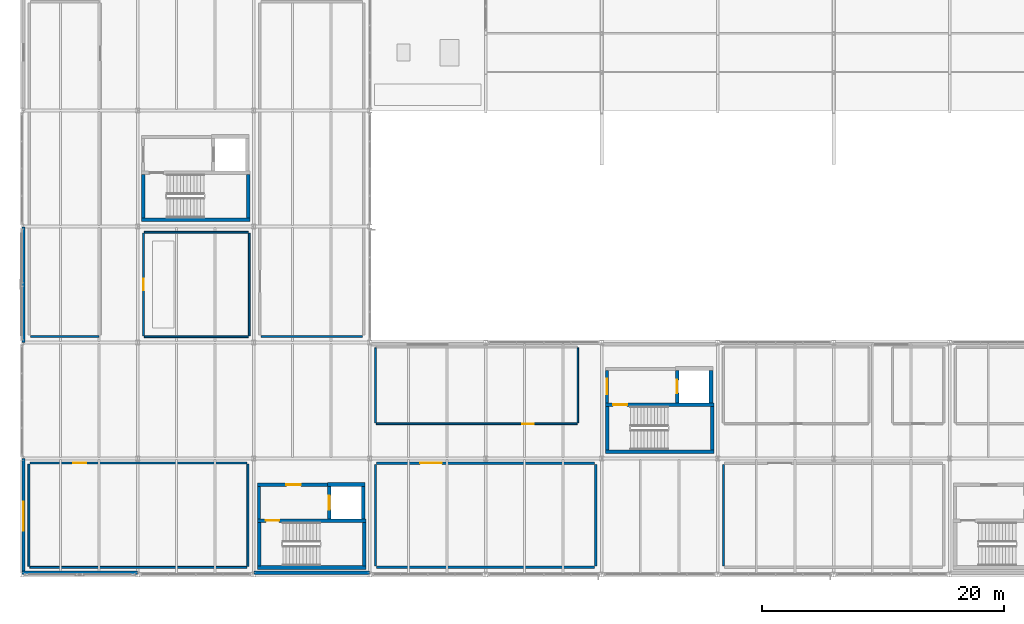
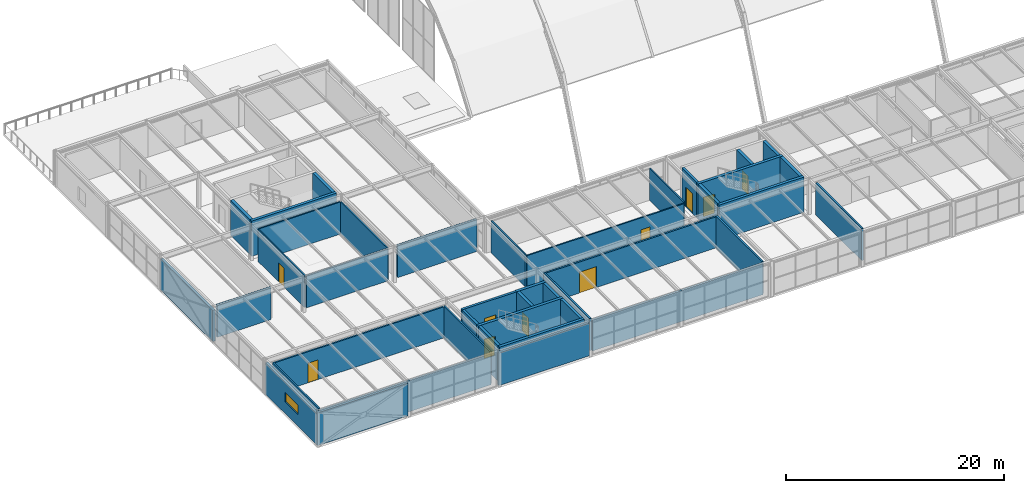
# One storey, part 116 of 126: 41 walls, 10 doors, 1 window, 11 openings.
"""IFC4 building model written with IfcOpenShell, lengths in metres."""

import ifcopenshell
import ifcopenshell.guid

model = None  # the IFC model being written
_history = None  # IfcOwnerHistory: only IFC2X3 demands one
_inside = {}  # id of a spatial element -> (the spatial element, [elements in it])
_under = {}  # id of a project, library or spatial element -> (it, [spatial elements below it])
_declared = {}  # id of a project -> (the project, [libraries it declares])
_typed = {}  # id of a type object -> (the type object, [elements of that type])
_made_of = {}  # id of a material, layer set ... -> (it, [elements and type objects made of it])


def new_model(schema):
    """Start an empty IFC model of exactly this schema.

    Asked for "IFC4X3", IfcOpenShell would pick the latest addendum, in which some entities
    have other attributes; the version numbers below select the first issue.
    IFC2X3 requires an IfcOwnerHistory on every rooted entity: one is made here for all.
    """
    global model, _history
    if schema == "IFC4X3":
        model = ifcopenshell.file(schema_version=(4, 3, 0, 0))
    else:
        model = ifcopenshell.file(schema=schema)
    _inside.clear()
    _under.clear()
    _declared.clear()
    _typed.clear()
    _made_of.clear()
    _history = None
    if model.schema == "IFC2X3":
        org = make("IfcOrganization", Name="unknown")
        user = make(
            "IfcPersonAndOrganization",
            ThePerson=make("IfcPerson", FamilyName="unknown"),
            TheOrganization=org,
        )
        app = make(
            "IfcApplication",
            ApplicationDeveloper=org,
            Version="unknown",
            ApplicationFullName="unknown",
            ApplicationIdentifier="unknown",
        )
        _history = make(
            "IfcOwnerHistory",
            OwningUser=user,
            OwningApplication=app,
            ChangeAction="ADDED",
            CreationDate=0,
        )
    return model


def make(cls, **values):
    """One entity of the class cls with the attributes given. An attribute that is None is left unset."""
    return model.create_entity(
        cls, **{name: value for name, value in values.items() if value is not None}
    )


def rooted(cls, **values):
    """An entity with a GlobalId (a new one), such as an element, a storey or a relation."""
    return make(cls, GlobalId=ifcopenshell.guid.new(), OwnerHistory=_history, **values)


def si_unit(unit_type, name, prefix=None):
    """IfcSIUnit, for example si_unit("LENGTHUNIT", "METRE", prefix="MILLI")."""
    return make("IfcSIUnit", UnitType=unit_type, Prefix=prefix, Name=name)


def assignment(units):
    """IfcUnitAssignment: the units of a project."""
    return None if units is None else make("IfcUnitAssignment", Units=units)


def point(xyz):
    """IfcCartesianPoint."""
    return None if xyz is None else make("IfcCartesianPoint", Coordinates=xyz)


def direction(xyz):
    """IfcDirection."""
    return None if xyz is None else make("IfcDirection", DirectionRatios=xyz)


def frame(location, z_axis=None, x_axis=None):
    """IfcAxis2Placement3D, a coordinate frame: its origin and axes. An axis left out is left unset."""
    return make(
        "IfcAxis2Placement3D",
        Location=point(location),
        Axis=direction(z_axis),
        RefDirection=direction(x_axis),
    )


def frame_2d(location, x_axis=None):
    """IfcAxis2Placement2D, a coordinate frame in the plane: its origin and x axis."""
    return make(
        "IfcAxis2Placement2D", Location=point(location), RefDirection=direction(x_axis)
    )


def origin():
    """The frame at (0, 0, 0) with its axes left unset."""
    return frame((0.0, 0.0, 0.0))


def place(relative_to, where):
    """IfcLocalPlacement: puts the frame where relative to a parent placement (None: the world)."""
    return make(
        "IfcLocalPlacement", PlacementRelTo=relative_to, RelativePlacement=where
    )


def context(
    kind, dimensions, precision=None, world=None, true_north=None, identifier=None
):
    """IfcGeometricRepresentationContext, for example the 3D "Model" context."""
    return make(
        "IfcGeometricRepresentationContext",
        ContextIdentifier=identifier,
        ContextType=kind,
        CoordinateSpaceDimension=dimensions,
        Precision=precision,
        WorldCoordinateSystem=world,
        TrueNorth=true_north,
    )


def subcontext(parent, identifier, kind, view, scale=None):
    """IfcGeometricRepresentationSubContext, for example "Body" below "Model"."""
    return make(
        "IfcGeometricRepresentationSubContext",
        ContextIdentifier=identifier,
        ContextType=kind,
        ParentContext=parent,
        TargetScale=scale,
        TargetView=view,
    )


def project(units=None, contexts=None):
    """IfcProject with its units and contexts."""
    return rooted(
        "IfcProject",
        Name="project",
        RepresentationContexts=contexts,
        UnitsInContext=assignment(units),
    )


def spatial(cls, under=None, at=None, **own):
    """A site, building, storey or space (cls), placed at a placement, below another one or the project."""
    s = rooted(cls, ObjectPlacement=at, **own)
    if under is not None:
        _under.setdefault(under.id(), (under, []))[1].append(s)
    return s


def profile(cls, at=None, kind="AREA", **sizes):
    """A parametric profile (cls). Its sizes go by their IFC names, for example OverallWidth=200.0."""
    return make(cls, ProfileType=kind, Position=at, **sizes)


def rectangle(**sizes):
    """IfcRectangleProfileDef."""
    return profile("IfcRectangleProfileDef", **sizes)


def extrude(swept, where, along, depth):
    """IfcExtrudedAreaSolid: the profile swept, set in the frame where, extruded along a direction by depth."""
    return make(
        "IfcExtrudedAreaSolid",
        SweptArea=swept,
        Position=where,
        ExtrudedDirection=direction(along),
        Depth=depth,
    )


def shape(context_of_items, identifier, shape_type, items):
    """IfcShapeRepresentation: the items that make up one representation, for example the "Body"."""
    return make(
        "IfcShapeRepresentation",
        ContextOfItems=context_of_items,
        RepresentationIdentifier=identifier,
        RepresentationType=shape_type,
        Items=items,
    )


def material(Name=None, Category=None):
    """IfcMaterial."""
    return make("IfcMaterial", Name=Name, Category=Category)


def layer(
    of_material, thickness, ventilated=None, Name=None, Category=None, Priority=None
):
    """IfcMaterialLayer: one layer of a wall or slab, of a material (None: an air gap)."""
    return make(
        "IfcMaterialLayer",
        Material=of_material,
        LayerThickness=thickness,
        IsVentilated=ventilated,
        Name=Name,
        Category=Category,
        Priority=Priority,
    )


def layer_set(layers, Name=None):
    """IfcMaterialLayerSet."""
    return make("IfcMaterialLayerSet", MaterialLayers=layers, LayerSetName=Name)


def made_of(thing, what):
    """Note that an element or type object is made of a material, layer set ...; save() writes the relation."""
    if what is not None:
        _made_of.setdefault(what.id(), (what, []))[1].append(thing)
    return thing


def type_object(cls, material=None, **own):
    """A type object (cls), such as IfcWallType, which elements share."""
    return made_of(rooted(cls, **own), material)


def element(
    cls,
    number,
    at=None,
    inside=None,
    cuts=None,
    type_object=None,
    material=None,
    context=None,
    identifier="Body",
    shape_type=None,
    held_by="IfcProductDefinitionShape",
    body=None,
    shapes=None,
    **own,
):
    """One element of the class cls, such as IfcWall. Its Tag is "e" and its number.

    at: its placement. inside: the storey or other place that contains it. cuts: it is an
    opening in that element (IfcRelVoidsElement). A single representation is given by context,
    identifier, shape_type and body (its items); several are given by shapes. held_by: the class
    of the entity that holds the representations. save() writes the other relations.
    """
    e = rooted(cls, Tag="e%d" % number, ObjectPlacement=at, **own)
    if body is not None:
        shapes = [shape(context, identifier, shape_type, body)]
    if shapes is not None:
        e.Representation = make(held_by, Representations=shapes)
    if inside is not None:
        _inside.setdefault(inside.id(), (inside, []))[1].append(e)
    if cuts is not None:
        rooted(
            "IfcRelVoidsElement", RelatingBuildingElement=cuts, RelatedOpeningElement=e
        )
    if type_object is not None:
        _typed.setdefault(type_object.id(), (type_object, []))[1].append(e)
    return made_of(e, material)


def fill(opening, filler):
    """IfcRelFillsElement: the door or window that sits in an opening."""
    return rooted(
        "IfcRelFillsElement",
        RelatingOpeningElement=opening,
        RelatedBuildingElement=filler,
    )


def aggregate(whole, parts):
    """IfcRelAggregates: a whole, such as a stair, and the parts it consists of."""
    return rooted("IfcRelAggregates", RelatingObject=whole, RelatedObjects=parts)


def save(model, path):
    """Write the relations noted so far, then the file.

    IfcRelAggregates (storeys below a building ...), IfcRelContainedInSpatialStructure (elements
    in a storey), IfcRelDefinesByType, IfcRelAssociatesMaterial and IfcRelDeclares: one each for
    every whole, place, type object, material and project.
    """
    for whole, parts in _under.values():
        aggregate(whole, parts)
    for where, things in _inside.values():
        rooted(
            "IfcRelContainedInSpatialStructure",
            RelatedElements=things,
            RelatingStructure=where,
        )
    for kind, things in _typed.values():
        rooted("IfcRelDefinesByType", RelatedObjects=things, RelatingType=kind)
    for what, things in _made_of.values():
        rooted("IfcRelAssociatesMaterial", RelatedObjects=things, RelatingMaterial=what)
    for by, libraries in _declared.values():
        rooted("IfcRelDeclares", RelatingContext=by, RelatedDefinitions=libraries)
    model.write(path)


model = new_model("IFC4")

# Units and contexts
model_context = context("Model", 3, precision=1e-05, world=origin(), true_north=direction((0.0, 1.0)))
body_context = subcontext(model_context, "Body", "Model", "MODEL_VIEW")
ifc_project = project(units=[si_unit("LENGTHUNIT", "METRE"), si_unit("AREAUNIT", "SQUARE_METRE"), si_unit("VOLUMEUNIT", "CUBIC_METRE"), si_unit("PLANEANGLEUNIT", "RADIAN"), si_unit("MASSUNIT", "GRAM", prefix="KILO")], contexts=[model_context])

# Site, building, storey
site_placement = place(None, origin())
site = spatial("IfcSite", under=ifc_project, at=site_placement, CompositionType="ELEMENT")
building_placement = place(site_placement, origin())
building = spatial("IfcBuilding", under=site, at=building_placement, Name="Coralgate Yard Interchange", CompositionType="ELEMENT")
storey_placement = place(building_placement, frame((0.0, 0.0, 10.5)))
storey = spatial("IfcBuildingStorey", under=building, at=storey_placement, Name="L02", CompositionType="ELEMENT", Elevation=10.5)

# Walls
ifc_material_1 = material(Name="Concrete C40/50", Category="concrete")
ifc_layer_1 = layer(ifc_material_1, 0.300048828125)
ifc_layer_set_1 = layer_set([ifc_layer_1], Name="Concrete C40/50")
wall_type_1 = type_object("IfcWallType", Name="WAL-CW300", PredefinedType="SHEAR", material=ifc_layer_set_1)
wall_1_placement = place(storey_placement, frame((9.89990234375, 29.3701171875, 0.0), z_axis=(0.0, 0.0, 1.0), x_axis=(1.0, 0.0, 0.0)))
element("IfcWall", 1, at=wall_1_placement, inside=storey, type_object=wall_type_1, Name="C1 L02 stair south shear wall", PredefinedType="SHEAR", context=body_context, shape_type="SweptSolid", body=[
    extrude(rectangle(XDim=9.0, YDim=0.300048828125, at=frame_2d((4.5, 0.0))), origin(), (0.0, 0.0, 1.0), 3.949951171875),
])
for number, where, z_axis, x_axis, name in (
    (2, (10.050048828125, 29.52001953125, 0.0), (0.0, 0.0, 1.0), (0.0, 1.0, 0.0), "C1 L02 stair west shear wall"),
    (3, (18.75, 33.10009765625, 0.0), (0.0, 0.0, 1.0), (0.0, -1.0, 0.0), "C1 L02 stair east shear wall"),
):
    element("IfcWall", number, at=place(storey_placement, frame(where, z_axis=z_axis, x_axis=x_axis)), inside=storey, type_object=wall_type_1, Name=name, PredefinedType="SHEAR", context=body_context, shape_type="SweptSolid", body=[
        extrude(rectangle(XDim=3.580078125, YDim=0.300048828125, at=frame_2d((1.7900390625, 0.0))), origin(), (0.0, 0.0, 1.0), 3.949951171875),
    ])
wall_2_placement = place(storey_placement, frame((48.300048828125, 10.169921875, 0.0), z_axis=(0.0, 0.0, 1.0), x_axis=(1.0, 0.0, 0.0)))
element("IfcWall", 4, at=wall_2_placement, inside=storey, type_object=wall_type_1, Name="C2 L02 stair south shear wall", PredefinedType="SHEAR", context=body_context, shape_type="SweptSolid", body=[
    extrude(rectangle(XDim=9.0, YDim=0.300048828125, at=frame_2d((4.5, 0.0))), origin(), (0.0, 0.0, 1.0), 3.949951171875),
])

# Wall, opening, door
wall_3_placement = place(storey_placement, frame((57.300048828125, 14.050048828125, 0.0), z_axis=(0.0, 0.0, 1.0), x_axis=(-1.0, 0.0, 0.0)))
wall_3 = element("IfcWall", 5, at=wall_3_placement, inside=storey, type_object=wall_type_1, Name="C2 L02 stair north shear wall", PredefinedType="SHEAR", context=body_context, shape_type="SweptSolid", body=[
    extrude(rectangle(XDim=9.0, YDim=0.300048828125, at=frame_2d((4.5, 0.0))), origin(), (0.0, 0.0, 1.0), 3.949951171875),
])
opening_1_placement = place(wall_3_placement, frame((7.199951171875, 0.0, 0.0)))
opening_1 = element("IfcOpeningElement", 6, at=opening_1_placement, cuts=wall_3, Name="Opening FD-1B", PredefinedType="OPENING", context=body_context, shape_type="SweptSolid", body=[
    extrude(rectangle(XDim=1.14990234375, YDim=2.14990234375, at=frame_2d((0.574951171875, 1.074951171875))), frame((0.0, 0.159912109375, 0.0), z_axis=(0.0, -1.0, 0.0), x_axis=(1.0, 0.0, 0.0)), (0.0, 0.0, 1.0), 0.320068359375),
])
ifc_material_2 = material(Name="Powder-coated steel fire door assembly", Category="steel")
door_type_1 = type_object("IfcDoorType", Name="DOR-FD-1B", OperationType="NOTDEFINED", PredefinedType="DOOR", material=ifc_material_2)
door_1_placement = place(opening_1_placement, frame((1.14990234375, 0.0, 0.0), z_axis=(0.0, 0.0, 1.0), x_axis=(-1.0, 0.0, 0.0)))
door_1 = element("IfcDoor", 7, at=door_1_placement, inside=storey, type_object=door_type_1, Name="C2 L02 stair fire door", OperationType="SINGLE_SWING_RIGHT", OverallHeight=2.14990234375, OverallWidth=1.14990234375, PredefinedType="DOOR", context=body_context, shape_type="SweptSolid", body=[
    extrude(rectangle(XDim=1.14990234375, YDim=2.14990234375, at=frame_2d((0.574951171875, 1.074951171875))), frame((0.0, 0.02490234375, 0.0), z_axis=(0.0, -1.0, 0.0), x_axis=(1.0, 0.0, 0.0)), (0.0, 0.0, 1.0), 0.050048828125),
])
fill(opening_1, door_1)

# Walls
for number, where, z_axis, x_axis, name in (
    (8, (48.449951171875, 10.320068359375, 0.0), (0.0, 0.0, 1.0), (0.0, 1.0, 0.0), "C2 L02 stair west shear wall"),
    (9, (57.14990234375, 13.89990234375, 0.0), (0.0, 0.0, 1.0), (0.0, -1.0, 0.0), "C2 L02 stair east shear wall"),
):
    element("IfcWall", number, at=place(storey_placement, frame(where, z_axis=z_axis, x_axis=x_axis)), inside=storey, type_object=wall_type_1, Name=name, PredefinedType="SHEAR", context=body_context, shape_type="SweptSolid", body=[
        extrude(rectangle(XDim=3.579833984375, YDim=0.300048828125, at=frame_2d((1.7900390625, 0.0))), origin(), (0.0, 0.0, 1.0), 3.949951171875),
    ])

# Wall, opening, door
wall_4_placement = place(storey_placement, frame((54.25, 16.89990234375, 0.0), z_axis=(0.0, 0.0, 1.0), x_axis=(0.0, -1.0, 0.0)))
wall_4 = element("IfcWall", 10, at=wall_4_placement, inside=storey, type_object=wall_type_1, Name="C2 L02 lift front shear wall", PredefinedType="SHEAR", context=body_context, shape_type="SweptSolid", body=[
    extrude(rectangle(XDim=2.699951171875, YDim=0.300048828125, at=frame_2d((1.35009765625, 0.0))), origin(), (0.0, 0.0, 1.0), 3.949951171875),
])
opening_2_placement = place(wall_4_placement, frame((0.800048828125, 0.0, 0.0)))
opening_2 = element("IfcOpeningElement", 11, at=opening_2_placement, cuts=wall_4, Name="Opening LD-1", PredefinedType="OPENING", context=body_context, shape_type="SweptSolid", body=[
    extrude(rectangle(XDim=1.10009765625, YDim=2.10009765625, at=frame_2d((0.550048828125, 1.050048828125))), frame((0.0, 0.159912109375, 0.0), z_axis=(0.0, -1.0, 0.0), x_axis=(1.0, 0.0, 0.0)), (0.0, 0.0, 1.0), 0.320068359375),
])
ifc_material_3 = material(Name="Brushed stainless steel firefighting lift landing door", Category="steel")
door_type_2 = type_object("IfcDoorType", Name="DOR-LD-1", OperationType="DOUBLE_DOOR_SLIDING", PredefinedType="DOOR", material=ifc_material_3)
door_2_placement = place(opening_2_placement, frame((1.10009765625, 0.0, 0.0), z_axis=(0.0, 0.0, 1.0), x_axis=(-1.0, 0.0, 0.0)))
door_2 = element("IfcDoor", 12, at=door_2_placement, inside=storey, type_object=door_type_2, Name="FFL-02 L02 sliding lift landing door", OperationType="DOUBLE_DOOR_SLIDING", OverallHeight=2.10009765625, OverallWidth=1.10009765625, PredefinedType="DOOR", context=body_context, shape_type="SweptSolid", body=[
    extrude(rectangle(XDim=1.10009765625, YDim=2.10009765625, at=frame_2d((0.550048828125, 1.050048828125))), frame((0.0, 0.02490234375, 0.0), z_axis=(0.0, -1.0, 0.0), x_axis=(1.0, 0.0, 0.0)), (0.0, 0.0, 1.0), 0.050048828125),
])
fill(opening_2, door_2)

# Walls
wall_5_placement = place(storey_placement, frame((57.050048828125, 14.199951171875, 0.0), z_axis=(0.0, 0.0, 1.0), x_axis=(0.0, 1.0, 0.0)))
element("IfcWall", 13, at=wall_5_placement, inside=storey, type_object=wall_type_1, Name="C2 L02 lift rear shear wall", PredefinedType="SHEAR", context=body_context, shape_type="SweptSolid", body=[
    extrude(rectangle(XDim=2.699951171875, YDim=0.300048828125, at=frame_2d((1.35009765625, 0.0))), origin(), (0.0, 0.0, 1.0), 3.949951171875),
])
wall_6_placement = place(storey_placement, frame((19.5, 0.570068359375, 0.0), z_axis=(0.0, 0.0, 1.0), x_axis=(1.0, 0.0, 0.0)))
element("IfcWall", 14, at=wall_6_placement, inside=storey, type_object=wall_type_1, Name="C3 L02 stair south shear wall", PredefinedType="SHEAR", context=body_context, shape_type="SweptSolid", body=[
    extrude(rectangle(XDim=9.0, YDim=0.300048828125, at=frame_2d((4.5, 0.0))), origin(), (0.0, 0.0, 1.0), 3.949951171875),
])

# Wall, opening, door
wall_7_placement = place(storey_placement, frame((28.5, 4.449951171875, 0.0), z_axis=(0.0, 0.0, 1.0), x_axis=(-1.0, 0.0, 0.0)))
wall_7 = element("IfcWall", 15, at=wall_7_placement, inside=storey, type_object=wall_type_1, Name="C3 L02 stair north shear wall", PredefinedType="SHEAR", context=body_context, shape_type="SweptSolid", body=[
    extrude(rectangle(XDim=9.0, YDim=0.300048828125, at=frame_2d((4.5, 0.0))), origin(), (0.0, 0.0, 1.0), 3.949951171875),
])
opening_3_placement = place(wall_7_placement, frame((7.199951171875, 0.0, 0.0)))
opening_3 = element("IfcOpeningElement", 16, at=opening_3_placement, cuts=wall_7, Name="Opening FD-1", PredefinedType="OPENING", context=body_context, shape_type="SweptSolid", body=[
    extrude(rectangle(XDim=1.10009765625, YDim=2.14990234375, at=frame_2d((0.550048828125, 1.074951171875))), frame((0.0, 0.159912109375, 0.0), z_axis=(0.0, -1.0, 0.0), x_axis=(1.0, 0.0, 0.0)), (0.0, 0.0, 1.0), 0.320068359375),
])
door_type_3 = type_object("IfcDoorType", Name="DOR-FD-1", OperationType="NOTDEFINED", PredefinedType="DOOR", material=ifc_material_2)
door_3_placement = place(opening_3_placement, frame((1.10009765625, 0.0, 0.0), z_axis=(0.0, 0.0, 1.0), x_axis=(-1.0, 0.0, 0.0)))
door_3 = element("IfcDoor", 17, at=door_3_placement, inside=storey, type_object=door_type_3, Name="C3 L02 stair fire door", OperationType="SINGLE_SWING_LEFT", OverallHeight=2.14990234375, OverallWidth=1.10009765625, PredefinedType="DOOR", context=body_context, shape_type="SweptSolid", body=[
    extrude(rectangle(XDim=1.10009765625, YDim=2.14990234375, at=frame_2d((0.550048828125, 1.074951171875))), frame((0.0, 0.02490234375, 0.0), z_axis=(0.0, -1.0, 0.0), x_axis=(1.0, 0.0, 0.0)), (0.0, 0.0, 1.0), 0.050048828125),
])
fill(opening_3, door_3)

# Walls
for number, where, z_axis, x_axis, name in (
    (18, (19.64990234375, 0.719970703125, 0.0), (0.0, 0.0, 1.0), (0.0, 1.0, 0.0), "C3 L02 stair west shear wall"),
    (19, (28.35009765625, 4.300048828125, 0.0), (0.0, 0.0, 1.0), (0.0, -1.0, 0.0), "C3 L02 stair east shear wall"),
):
    element("IfcWall", number, at=place(storey_placement, frame(where, z_axis=z_axis, x_axis=x_axis)), inside=storey, type_object=wall_type_1, Name=name, PredefinedType="SHEAR", context=body_context, shape_type="SweptSolid", body=[
        extrude(rectangle(XDim=3.580078125, YDim=0.300048828125, at=frame_2d((1.7900390625, 0.0))), origin(), (0.0, 0.0, 1.0), 3.949951171875),
    ])

# Wall, opening, door
wall_8_placement = place(storey_placement, frame((25.449951171875, 7.300048828125, 0.0), z_axis=(0.0, 0.0, 1.0), x_axis=(0.0, -1.0, 0.0)))
wall_8 = element("IfcWall", 20, at=wall_8_placement, inside=storey, type_object=wall_type_1, Name="C3 L02 lift front shear wall", PredefinedType="SHEAR", context=body_context, shape_type="SweptSolid", body=[
    extrude(rectangle(XDim=2.699951171875, YDim=0.300048828125, at=frame_2d((1.35009765625, 0.0))), origin(), (0.0, 0.0, 1.0), 3.949951171875),
])
opening_4_placement = place(wall_8_placement, frame((0.77490234375, 0.0, 0.0)))
opening_4 = element("IfcOpeningElement", 21, at=opening_4_placement, cuts=wall_8, Name="Opening LD-2", PredefinedType="OPENING", context=body_context, shape_type="SweptSolid", body=[
    extrude(rectangle(XDim=1.14990234375, YDim=2.10009765625, at=frame_2d((0.574951171875, 1.050048828125))), frame((0.0, 0.159912109375, 0.0), z_axis=(0.0, -1.0, 0.0), x_axis=(1.0, 0.0, 0.0)), (0.0, 0.0, 1.0), 0.320068359375),
])
ifc_material_4 = material(Name="Brushed stainless steel passenger lift landing door", Category="steel")
door_type_4 = type_object("IfcDoorType", Name="DOR-LD-2", OperationType="DOUBLE_DOOR_SLIDING", PredefinedType="DOOR", material=ifc_material_4)
door_4_placement = place(opening_4_placement, frame((1.14990234375, 0.0, 0.0), z_axis=(0.0, 0.0, 1.0), x_axis=(-1.0, 0.0, 0.0)))
door_4 = element("IfcDoor", 22, at=door_4_placement, inside=storey, type_object=door_type_4, Name="LF-01 L02 sliding lift landing door", OperationType="DOUBLE_DOOR_SLIDING", OverallHeight=2.10009765625, OverallWidth=1.14990234375, PredefinedType="DOOR", context=body_context, shape_type="SweptSolid", body=[
    extrude(rectangle(XDim=1.14990234375, YDim=2.10009765625, at=frame_2d((0.574951171875, 1.050048828125))), frame((0.0, 0.02490234375, 0.0), z_axis=(0.0, -1.0, 0.0), x_axis=(1.0, 0.0, 0.0)), (0.0, 0.0, 1.0), 0.050048828125),
])
fill(opening_4, door_4)

# Walls
wall_9_placement = place(storey_placement, frame((28.25, 4.60009765625, 0.0), z_axis=(0.0, 0.0, 1.0), x_axis=(0.0, 1.0, 0.0)))
element("IfcWall", 23, at=wall_9_placement, inside=storey, type_object=wall_type_1, Name="C3 L02 lift rear shear wall", PredefinedType="SHEAR", context=body_context, shape_type="SweptSolid", body=[
    extrude(rectangle(XDim=2.699951171875, YDim=0.300048828125, at=frame_2d((1.35009765625, 0.0))), origin(), (0.0, 0.0, 1.0), 3.949951171875),
])
wall_10_placement = place(storey_placement, frame((25.300048828125, 7.449951171875, 0.0), z_axis=(0.0, 0.0, 1.0), x_axis=(1.0, 0.0, 0.0)))
element("IfcWall", 24, at=wall_10_placement, inside=storey, type_object=wall_type_1, Name="C3 L02 lift north shear wall", PredefinedType="SHEAR", context=body_context, shape_type="SweptSolid", body=[
    extrude(rectangle(XDim=3.099853515625, YDim=0.300048828125, at=frame_2d((1.5498046875, 0.0))), origin(), (0.0, 0.0, 1.0), 3.949951171875),
])
ifc_material_5 = material(Name="Precast concrete C40/50", Category="concrete")
ifc_layer_2 = layer(ifc_material_5, 0.280029296875)
ifc_layer_set_2 = layer_set([ifc_layer_2], Name="Precast concrete C40/50")
wall_type_2 = type_object("IfcWallType", Name="WAL-EW-280", PredefinedType="SOLIDWALL", material=ifc_layer_set_2)
wall_11_placement = place(storey_placement, frame((9.580078125, 0.139892578125, 0.0), z_axis=(0.0, 0.0, 1.0), x_axis=(-1.0, 0.0, 0.0)))
element("IfcWall", 25, at=wall_11_placement, inside=storey, type_object=wall_type_2, Name="L02 exterior coastal wall S 0-0", PredefinedType="SOLIDWALL", context=body_context, shape_type="SweptSolid", body=[
    extrude(rectangle(XDim=9.56005859375, YDim=0.280029296875, at=frame_2d((4.780029296875, 0.0))), origin(), (0.0, 0.0, 1.0), 3.659912109375),
])

# Wall, opening, window
wall_12_placement = place(storey_placement, frame((0.139892578125, 0.02001953125, 0.0), z_axis=(0.0, 0.0, 1.0), x_axis=(0.0, 1.0, 0.0)))
wall_12 = element("IfcWall", 26, at=wall_12_placement, inside=storey, type_object=wall_type_2, Name="L02 exterior coastal wall W 0-0", PredefinedType="SOLIDWALL", context=body_context, shape_type="SweptSolid", body=[
    extrude(rectangle(XDim=9.56005859375, YDim=0.280029296875, at=frame_2d((4.780029296875, 0.0))), origin(), (0.0, 0.0, 1.0), 3.492919921875),
])
opening_5_placement = place(wall_12_placement, frame((3.580078125, 0.0, 1.300048828125)))
opening_5 = element("IfcOpeningElement", 27, at=opening_5_placement, cuts=wall_12, Name="Opening W-11", PredefinedType="OPENING", context=body_context, shape_type="SweptSolid", body=[
    extrude(rectangle(XDim=2.39990234375, YDim=1.050048828125, at=frame_2d((1.199951171875, 0.52490234375))), frame((0.0, 0.14990234375, 0.0), z_axis=(0.0, -1.0, 0.0), x_axis=(1.0, 0.0, 0.0)), (0.0, 0.0, 1.0), 0.300048828125),
])
ifc_material_6 = material(Name="Thermally broken anodised aluminium and solar-control low-E glass", Category="aluminium")
window_type = type_object("IfcWindowType", Name="WIN-W-11", PartitioningType="SINGLE_PANEL", PredefinedType="WINDOW", material=ifc_material_6)
window_placement = place(opening_5_placement, origin())
window = element("IfcWindow", 28, at=window_placement, inside=storey, type_object=window_type, Name="L02 coastal facade window W-0-0", OverallHeight=1.050048828125, OverallWidth=2.39990234375, PartitioningType="SINGLE_PANEL", PredefinedType="WINDOW", context=body_context, shape_type="SweptSolid", body=[
    extrude(rectangle(XDim=2.39990234375, YDim=1.050048828125, at=frame_2d((1.199951171875, 0.52490234375))), frame((0.0, 0.030029296875, 0.0), z_axis=(0.0, -1.0, 0.0), x_axis=(1.0, 0.0, 0.0)), (0.0, 0.0, 1.0), 0.06005859375),
])
fill(opening_5, window)

# Walls
wall_13_placement = place(storey_placement, frame((0.139892578125, 19.219970703125, 0.0), z_axis=(0.0, 0.0, 1.0), x_axis=(0.0, 1.0, 0.0)))
element("IfcWall", 29, at=wall_13_placement, inside=storey, type_object=wall_type_2, Name="L02 exterior coastal wall W 0-2", PredefinedType="SOLIDWALL", context=body_context, shape_type="SweptSolid", body=[
    extrude(rectangle(XDim=9.56005859375, YDim=0.280029296875, at=frame_2d((4.780029296875, 0.0))), origin(), (0.0, 0.0, 1.0), 3.492919921875),
])
wall_14_placement = place(storey_placement, frame((28.780029296875, 0.139892578125, 0.0), z_axis=(0.0, 0.0, 1.0), x_axis=(-1.0, 0.0, 0.0)))
element("IfcWall", 30, at=wall_14_placement, inside=storey, type_object=wall_type_2, Name="L02 exterior coastal wall S 2-0", PredefinedType="SOLIDWALL", context=body_context, shape_type="SweptSolid", body=[
    extrude(rectangle(XDim=9.56005859375, YDim=0.280029296875, at=frame_2d((4.780029296875, 0.0))), origin(), (0.0, 0.0, 1.0), 3.659912109375),
])

# Wall, opening, door
ifc_material_7 = material(Name="Acoustic twin-stud office partition")
ifc_layer_3 = layer(ifc_material_7, 0.139892578125)
ifc_layer_set_3 = layer_set([ifc_layer_3], Name="Acoustic twin-stud office partition")
wall_type_3 = type_object("IfcWallType", Name="WAL-PW-140", PredefinedType="PARTITIONING", material=ifc_layer_set_3)
wall_15_placement = place(storey_placement, frame((45.9599609375, 12.469970703125, 0.0), z_axis=(0.0, 0.0, 1.0), x_axis=(-1.0, 0.0, 0.0)))
wall_15 = element("IfcWall", 31, at=wall_15_placement, inside=storey, type_object=wall_type_3, Name="Control Systems Engineering Support Room partition S", PredefinedType="PARTITIONING", context=body_context, shape_type="SweptSolid", body=[
    extrude(rectangle(XDim=16.619873046875, YDim=0.139892578125, at=frame_2d((8.31005859375, 0.0))), origin(), (0.0, 0.0, 1.0), 3.48291015625),
])
opening_6_placement = place(wall_15_placement, frame((3.60009765625, 0.0, 0.0)))
opening_6 = element("IfcOpeningElement", 32, at=opening_6_placement, cuts=wall_15, Name="Opening ID-01", PredefinedType="OPENING", context=body_context, shape_type="SweptSolid", body=[
    extrude(rectangle(XDim=0.949951171875, YDim=2.14990234375, at=frame_2d((0.47509765625, 1.074951171875))), frame((0.0, 0.079833984375, 0.0), z_axis=(0.0, -1.0, 0.0), x_axis=(1.0, 0.0, 0.0)), (0.0, 0.0, 1.0), 0.159912109375),
])
ifc_material_8 = material(Name="Solid-core hardwood timber office door", Category="wood")
door_type_5 = type_object("IfcDoorType", Name="DOR-ID-01", OperationType="NOTDEFINED", PredefinedType="DOOR", material=ifc_material_8)
door_5_placement = place(opening_6_placement, frame((0.949951171875, 0.0, 0.0), z_axis=(0.0, 0.0, 1.0), x_axis=(-1.0, 0.0, 0.0)))
door_5 = element("IfcDoor", 33, at=door_5_placement, inside=storey, type_object=door_type_5, Name="Control Systems Engineering Support Room door", OperationType="SINGLE_SWING_LEFT", OverallHeight=2.14990234375, OverallWidth=0.949951171875, PredefinedType="DOOR", context=body_context, shape_type="SweptSolid", body=[
    extrude(rectangle(XDim=0.949951171875, YDim=2.14990234375, at=frame_2d((0.47509765625, 1.074951171875))), frame((0.0, 0.02490234375, 0.0), z_axis=(0.0, -1.0, 0.0), x_axis=(1.0, 0.0, 0.0)), (0.0, 0.0, 1.0), 0.050048828125),
])
fill(opening_6, door_5)

# Walls
for number, where, z_axis, x_axis, name in (
    (34, (29.27001953125, 12.5400390625, 0.0), (0.0, 0.0, 1.0), (0.0, 1.0, 0.0), "Control Systems Engineering Support Room partition W"),
    (35, (46.030029296875, 18.760009765625, 0.0), (0.0, 0.0, 1.0), (0.0, -1.0, 0.0), "Control Systems Engineering Support Room partition E"),
):
    element("IfcWall", number, at=place(storey_placement, frame(where, z_axis=z_axis, x_axis=x_axis)), inside=storey, type_object=wall_type_3, Name=name, PredefinedType="PARTITIONING", context=body_context, shape_type="SweptSolid", body=[
        extrude(rectangle(XDim=6.219970703125, YDim=0.139892578125, at=frame_2d((3.10986328125, 0.0))), origin(), (0.0, 0.0, 1.0), 3.590087890625),
    ])
for number, where, z_axis, x_axis, name in (
    (36, (18.760009765625, 19.669921875, 0.0), (0.0, 0.0, 1.0), (-1.0, 0.0, 0.0), "Control Staff Veranda Break Lounge partition S"),
    (37, (10.139892578125, 28.330078125, 0.0), (0.0, 0.0, 1.0), (1.0, 0.0, 0.0), "Control Staff Veranda Break Lounge partition N"),
):
    element("IfcWall", number, at=place(storey_placement, frame(where, z_axis=z_axis, x_axis=x_axis)), inside=storey, type_object=wall_type_3, Name=name, PredefinedType="PARTITIONING", context=body_context, shape_type="SweptSolid", body=[
        extrude(rectangle(XDim=8.6201171875, YDim=0.139892578125, at=frame_2d((4.31005859375, 0.0))), origin(), (0.0, 0.0, 1.0), 3.590087890625),
    ])

# Wall, opening, door
wall_16_placement = place(storey_placement, frame((10.070068359375, 19.739990234375, 0.0), z_axis=(0.0, 0.0, 1.0), x_axis=(0.0, 1.0, 0.0)))
wall_16 = element("IfcWall", 38, at=wall_16_placement, inside=storey, type_object=wall_type_3, Name="Control Staff Veranda Break Lounge partition W", PredefinedType="PARTITIONING", context=body_context, shape_type="SweptSolid", body=[
    extrude(rectangle(XDim=8.52001953125, YDim=0.139892578125, at=frame_2d((4.260009765625, 0.0))), origin(), (0.0, 0.0, 1.0), 3.590087890625),
])
opening_7_placement = place(wall_16_placement, frame((3.77001953125, 0.0, 0.0)))
opening_7 = element("IfcOpeningElement", 39, at=opening_7_placement, cuts=wall_16, Name="Opening ID-12", PredefinedType="OPENING", context=body_context, shape_type="SweptSolid", body=[
    extrude(rectangle(XDim=0.97998046875, YDim=2.14990234375, at=frame_2d((0.489990234375, 1.074951171875))), frame((0.0, 0.079833984375, 0.0), z_axis=(0.0, -1.0, 0.0), x_axis=(1.0, 0.0, 0.0)), (0.0, 0.0, 1.0), 0.159912109375),
])
ifc_material_9 = material(Name="Timber crew welfare room door", Category="wood")
door_type_6 = type_object("IfcDoorType", Name="DOR-ID-12", OperationType="NOTDEFINED", PredefinedType="DOOR", material=ifc_material_9)
door_6_placement = place(opening_7_placement, frame((0.97998046875, 0.0, 0.0), z_axis=(0.0, 0.0, 1.0), x_axis=(-1.0, 0.0, 0.0)))
door_6 = element("IfcDoor", 40, at=door_6_placement, inside=storey, type_object=door_type_6, Name="Control Staff Veranda Break Lounge door", OperationType="SINGLE_SWING_LEFT", OverallHeight=2.14990234375, OverallWidth=0.97998046875, PredefinedType="DOOR", context=body_context, shape_type="SweptSolid", body=[
    extrude(rectangle(XDim=0.97998046875, YDim=2.14990234375, at=frame_2d((0.489990234375, 1.074951171875))), frame((0.0, 0.02490234375, 0.0), z_axis=(0.0, -1.0, 0.0), x_axis=(1.0, 0.0, 0.0)), (0.0, 0.0, 1.0), 0.050048828125),
])
fill(opening_7, door_6)

# Walls
wall_17_placement = place(storey_placement, frame((18.830078125, 28.260009765625, 0.0), z_axis=(0.0, 0.0, 1.0), x_axis=(0.0, -1.0, 0.0)))
element("IfcWall", 41, at=wall_17_placement, inside=storey, type_object=wall_type_3, Name="Control Staff Veranda Break Lounge partition E", PredefinedType="PARTITIONING", context=body_context, shape_type="SweptSolid", body=[
    extrude(rectangle(XDim=8.52001953125, YDim=0.139892578125, at=frame_2d((4.260009765625, 0.0))), origin(), (0.0, 0.0, 1.0), 3.590087890625),
])
ifc_material_10 = material(Name="Fire-rated twin-stud gypsum partition")
ifc_layer_4 = layer(ifc_material_10, 0.159912109375)
ifc_layer_set_4 = layer_set([ifc_layer_4], Name="Fire-rated twin-stud gypsum partition")
wall_type_4 = type_object("IfcWallType", Name="WAL-PW-160", PredefinedType="PARTITIONING", material=ifc_layer_set_4)
wall_18_placement = place(storey_placement, frame((18.639892578125, 0.580078125, 0.0), z_axis=(0.0, 0.0, 1.0), x_axis=(-1.0, 0.0, 0.0)))
element("IfcWall", 42, at=wall_18_placement, inside=storey, type_object=wall_type_4, Name="Traction Power SCADA Telemetry Room partition S", PredefinedType="PARTITIONING", context=body_context, shape_type="SweptSolid", body=[
    extrude(rectangle(XDim=17.97998046875, YDim=0.159912109375, at=frame_2d((8.989990234375, 0.0))), origin(), (0.0, 0.0, 1.0), 3.48291015625),
])

# Wall, opening, door
wall_19_placement = place(storey_placement, frame((0.659912109375, 9.219970703125, 0.0), z_axis=(0.0, 0.0, 1.0), x_axis=(1.0, 0.0, 0.0)))
wall_19 = element("IfcWall", 43, at=wall_19_placement, inside=storey, type_object=wall_type_4, Name="Traction Power SCADA Telemetry Room partition N", PredefinedType="PARTITIONING", context=body_context, shape_type="SweptSolid", body=[
    extrude(rectangle(XDim=17.97998046875, YDim=0.159912109375, at=frame_2d((8.989990234375, 0.0))), origin(), (0.0, 0.0, 1.0), 3.48291015625),
])
opening_8_placement = place(wall_19_placement, frame((3.60009765625, 0.0, 0.0)))
opening_8 = element("IfcOpeningElement", 44, at=opening_8_placement, cuts=wall_19, Name="Opening ID-14", PredefinedType="OPENING", context=body_context, shape_type="SweptSolid", body=[
    extrude(rectangle(XDim=1.080078125, YDim=2.199951171875, at=frame_2d((0.5400390625, 1.10009765625))), frame((0.0, 0.08984375, 0.0), z_axis=(0.0, -1.0, 0.0), x_axis=(1.0, 0.0, 0.0)), (0.0, 0.0, 1.0), 0.179931640625),
])
ifc_material_11 = material(Name="Fire-rated technical office door")
door_type_7 = type_object("IfcDoorType", Name="DOR-ID-14", OperationType="NOTDEFINED", PredefinedType="DOOR", material=ifc_material_11)
door_7_placement = place(opening_8_placement, origin())
door_7 = element("IfcDoor", 45, at=door_7_placement, inside=storey, type_object=door_type_7, Name="Traction Power SCADA Telemetry Room door", OperationType="SINGLE_SWING_LEFT", OverallHeight=2.199951171875, OverallWidth=1.080078125, PredefinedType="DOOR", context=body_context, shape_type="SweptSolid", body=[
    extrude(rectangle(XDim=1.080078125, YDim=2.199951171875, at=frame_2d((0.5400390625, 1.10009765625))), frame((0.0, 0.02490234375, 0.0), z_axis=(0.0, -1.0, 0.0), x_axis=(1.0, 0.0, 0.0)), (0.0, 0.0, 1.0), 0.050048828125),
])
fill(opening_8, door_7)

# Walls
for number, where, z_axis, x_axis, name in (
    (46, (0.580078125, 0.659912109375, 0.0), (0.0, 0.0, 1.0), (0.0, 1.0, 0.0), "Traction Power SCADA Telemetry Room partition W"),
    (47, (18.719970703125, 9.139892578125, 0.0), (0.0, 0.0, 1.0), (0.0, -1.0, 0.0), "Traction Power SCADA Telemetry Room partition E"),
):
    element("IfcWall", number, at=place(storey_placement, frame(where, z_axis=z_axis, x_axis=x_axis)), inside=storey, type_object=wall_type_4, Name=name, PredefinedType="PARTITIONING", context=body_context, shape_type="SweptSolid", body=[
        extrude(rectangle(XDim=8.47998046875, YDim=0.159912109375, at=frame_2d((4.239990234375, 0.0))), origin(), (0.0, 0.0, 1.0), 3.590087890625),
    ])
ifc_material_12 = material(Name="Acoustic concrete blockwork", Category="masonry")
ifc_layer_5 = layer(ifc_material_12, 0.179931640625)
ifc_layer_set_5 = layer_set([ifc_layer_5], Name="Acoustic concrete blockwork")
wall_type_5 = type_object("IfcWallType", Name="WAL-PW-180", PredefinedType="PARTITIONING", material=ifc_layer_set_5)
wall_20_placement = place(storey_placement, frame((47.419921875, 0.590087890625, 0.0), z_axis=(0.0, 0.0, 1.0), x_axis=(-1.0, 0.0, 0.0)))
element("IfcWall", 48, at=wall_20_placement, inside=storey, type_object=wall_type_5, Name="Integrated Network Operations Control Room partition S", PredefinedType="PARTITIONING", context=body_context, shape_type="SweptSolid", body=[
    extrude(rectangle(XDim=18.0400390625, YDim=0.179931640625, at=frame_2d((9.02001953125, 0.0))), origin(), (0.0, 0.0, 1.0), 3.48291015625),
])

# Wall, opening, door
wall_21_placement = place(storey_placement, frame((29.3798828125, 9.2099609375, 0.0), z_axis=(0.0, 0.0, 1.0), x_axis=(1.0, 0.0, 0.0)))
wall_21 = element("IfcWall", 49, at=wall_21_placement, inside=storey, type_object=wall_type_5, Name="Integrated Network Operations Control Room partition N", PredefinedType="PARTITIONING", context=body_context, shape_type="SweptSolid", body=[
    extrude(rectangle(XDim=18.0400390625, YDim=0.179931640625, at=frame_2d((9.02001953125, 0.0))), origin(), (0.0, 0.0, 1.0), 3.48291015625),
])
opening_9_placement = place(wall_21_placement, frame((3.60009765625, 0.0, 0.0)))
opening_9 = element("IfcOpeningElement", 50, at=opening_9_placement, cuts=wall_21, Name="Opening ID-08", PredefinedType="OPENING", context=body_context, shape_type="SweptSolid", body=[
    extrude(rectangle(XDim=1.800048828125, YDim=2.35009765625, at=frame_2d((0.89990234375, 1.175048828125))), frame((0.0, 0.099853515625, 0.0), z_axis=(0.0, -1.0, 0.0), x_axis=(1.0, 0.0, 0.0)), (0.0, 0.0, 1.0), 0.199951171875),
])
ifc_material_13 = material(Name="Acoustic timber assembly and meeting hall double door", Category="wood")
door_type_8 = type_object("IfcDoorType", Name="DOR-ID-08", OperationType="NOTDEFINED", PredefinedType="DOOR", material=ifc_material_13)
door_8_placement = place(opening_9_placement, origin())
door_8 = element("IfcDoor", 51, at=door_8_placement, inside=storey, type_object=door_type_8, Name="Integrated Network Operations Control Room door", OperationType="DOUBLE_DOOR_SINGLE_SWING", OverallHeight=2.35009765625, OverallWidth=1.800048828125, PredefinedType="DOOR", context=body_context, shape_type="SweptSolid", body=[
    extrude(rectangle(XDim=1.800048828125, YDim=2.35009765625, at=frame_2d((0.89990234375, 1.175048828125))), frame((0.0, 0.02490234375, 0.0), z_axis=(0.0, -1.0, 0.0), x_axis=(1.0, 0.0, 0.0)), (0.0, 0.0, 1.0), 0.050048828125),
])
fill(opening_9, door_8)

# Walls
for number, where, z_axis, x_axis, name in (
    (52, (29.2900390625, 0.679931640625, 0.0), (0.0, 0.0, 1.0), (0.0, 1.0, 0.0), "Integrated Network Operations Control Room partition W"),
    (53, (47.510009765625, 9.1201171875, 0.0), (0.0, 0.0, 1.0), (0.0, -1.0, 0.0), "Integrated Network Operations Control Room partition E"),
    (54, (58.090087890625, 0.679931640625, 0.0), (0.0, 0.0, 1.0), (0.0, 1.0, 0.0), "Emergency Incident Coordination Suite partition W"),
):
    element("IfcWall", number, at=place(storey_placement, frame(where, z_axis=z_axis, x_axis=x_axis)), inside=storey, type_object=wall_type_5, Name=name, PredefinedType="PARTITIONING", context=body_context, shape_type="SweptSolid", body=[
        extrude(rectangle(XDim=8.440185546875, YDim=0.179931640625, at=frame_2d((4.22021484375, 0.0))), origin(), (0.0, 0.0, 1.0), 3.590087890625),
    ])
ifc_material_14 = material(Name="Concrete blockwork masonry", Category="masonry")
ifc_layer_6 = layer(ifc_material_14, 0.199951171875)
ifc_layer_set_6 = layer_set([ifc_layer_6], Name="Concrete blockwork masonry")
wall_type_6 = type_object("IfcWallType", Name="WAL-PW-200", PredefinedType="PARTITIONING", material=ifc_layer_set_6)
wall_22_placement = place(storey_placement, frame((28.199951171875, 19.699951171875, 0.0), z_axis=(0.0, 0.0, 1.0), x_axis=(-1.0, 0.0, 0.0)))
element("IfcWall", 55, at=wall_22_placement, inside=storey, type_object=wall_type_6, Name="Central Chiller and Air-Handling Plant Room partition S", PredefinedType="PARTITIONING", context=body_context, shape_type="SweptSolid", body=[
    extrude(rectangle(XDim=8.39990234375, YDim=0.199951171875, at=frame_2d((4.199951171875, 0.0))), origin(), (0.0, 0.0, 1.0), 3.590087890625),
])
wall_23_placement = place(storey_placement, frame((6.39990234375, 19.699951171875, 0.0), z_axis=(0.0, 0.0, 1.0), x_axis=(-1.0, 0.0, 0.0)))
element("IfcWall", 56, at=wall_23_placement, inside=storey, type_object=wall_type_6, Name="Control Room Redundant UPS Plant partition S", PredefinedType="PARTITIONING", context=body_context, shape_type="SweptSolid", body=[
    extrude(rectangle(XDim=5.699951171875, YDim=0.199951171875, at=frame_2d((2.85009765625, 0.0))), origin(), (0.0, 0.0, 1.0), 3.590087890625),
])

# Wall, opening, door
ifc_layer_7 = layer(ifc_material_1, 0.25)
ifc_layer_set_7 = layer_set([ifc_layer_7], Name="Concrete C40/50")
wall_type_7 = type_object("IfcWallType", Name="WAL-SW250", PredefinedType="SHEAR", material=ifc_layer_set_7)
wall_24_placement = place(storey_placement, frame((48.449951171875, 14.199951171875, 0.0), z_axis=(0.0, 0.0, 1.0), x_axis=(0.0, 1.0, 0.0)))
wall_24 = element("IfcWall", 57, at=wall_24_placement, inside=storey, type_object=wall_type_7, Name="C2 L02 lobby west fire wall", PredefinedType="SHEAR", context=body_context, shape_type="SweptSolid", body=[
    extrude(rectangle(XDim=2.699951171875, YDim=0.25, at=frame_2d((1.35009765625, 0.0))), origin(), (0.0, 0.0, 1.0), 3.949951171875),
])
opening_10_placement = place(wall_24_placement, frame((0.7099609375, 0.0, 0.0)))
opening_10 = element("IfcOpeningElement", 58, at=opening_10_placement, cuts=wall_24, Name="Opening FD-2B", PredefinedType="OPENING", context=body_context, shape_type="SweptSolid", body=[
    extrude(rectangle(XDim=1.280029296875, YDim=2.199951171875, at=frame_2d((0.64013671875, 1.10009765625))), frame((0.0, 0.135009765625, 0.0), z_axis=(0.0, -1.0, 0.0), x_axis=(1.0, 0.0, 0.0)), (0.0, 0.0, 1.0), 0.27001953125),
])
door_type_9 = type_object("IfcDoorType", Name="DOR-FD-2B", OperationType="NOTDEFINED", PredefinedType="DOOR", material=ifc_material_2)
door_9_placement = place(opening_10_placement, frame((1.280029296875, 0.0, 0.0), z_axis=(0.0, 0.0, 1.0), x_axis=(-1.0, 0.0, 0.0)))
door_9 = element("IfcDoor", 59, at=door_9_placement, inside=storey, type_object=door_type_9, Name="C2 L02 lobby fire door", OperationType="SINGLE_SWING_LEFT", OverallHeight=2.199951171875, OverallWidth=1.280029296875, PredefinedType="DOOR", context=body_context, shape_type="SweptSolid", body=[
    extrude(rectangle(XDim=1.280029296875, YDim=2.199951171875, at=frame_2d((0.64013671875, 1.10009765625))), frame((0.0, 0.02490234375, 0.0), z_axis=(0.0, -1.0, 0.0), x_axis=(1.0, 0.0, 0.0)), (0.0, 0.0, 1.0), 0.050048828125),
])
fill(opening_10, door_9)

wall_25_placement = place(storey_placement, frame((25.300048828125, 7.425048828125, 0.0), z_axis=(0.0, 0.0, 1.0), x_axis=(-1.0, 0.0, 0.0)))
wall_25 = element("IfcWall", 60, at=wall_25_placement, inside=storey, type_object=wall_type_7, Name="C3 L02 lobby north fire wall", PredefinedType="SHEAR", context=body_context, shape_type="SweptSolid", body=[
    extrude(rectangle(XDim=5.775146484375, YDim=0.25, at=frame_2d((2.8876953125, 0.0))), origin(), (0.0, 0.0, 1.0), 3.949951171875),
])
opening_11_placement = place(wall_25_placement, frame((2.199951171875, 0.0, 0.0)))
opening_11 = element("IfcOpeningElement", 61, at=opening_11_placement, cuts=wall_25, Name="Opening FD-2", PredefinedType="OPENING", context=body_context, shape_type="SweptSolid", body=[
    extrude(rectangle(XDim=1.199951171875, YDim=2.14990234375, at=frame_2d((0.60009765625, 1.074951171875))), frame((0.0, 0.135009765625, 0.0), z_axis=(0.0, -1.0, 0.0), x_axis=(1.0, 0.0, 0.0)), (0.0, 0.0, 1.0), 0.27001953125),
])
door_type_10 = type_object("IfcDoorType", Name="DOR-FD-2", OperationType="NOTDEFINED", PredefinedType="DOOR", material=ifc_material_2)
door_10_placement = place(opening_11_placement, origin())
door_10 = element("IfcDoor", 62, at=door_10_placement, inside=storey, type_object=door_type_10, Name="C3 L02 lobby fire door", OperationType="SINGLE_SWING_RIGHT", OverallHeight=2.14990234375, OverallWidth=1.199951171875, PredefinedType="DOOR", context=body_context, shape_type="SweptSolid", body=[
    extrude(rectangle(XDim=1.199951171875, YDim=2.14990234375, at=frame_2d((0.60009765625, 1.074951171875))), frame((0.0, 0.02490234375, 0.0), z_axis=(0.0, -1.0, 0.0), x_axis=(1.0, 0.0, 0.0)), (0.0, 0.0, 1.0), 0.050048828125),
])
fill(opening_11, door_10)

# Wall
wall_26_placement = place(storey_placement, frame((19.64990234375, 4.60009765625, 0.0), z_axis=(0.0, 0.0, 1.0), x_axis=(0.0, 1.0, 0.0)))
element("IfcWall", 63, at=wall_26_placement, inside=storey, type_object=wall_type_7, Name="C3 L02 lobby west fire wall", PredefinedType="SHEAR", context=body_context, shape_type="SweptSolid", body=[
    extrude(rectangle(XDim=2.699951171875, YDim=0.25, at=frame_2d((1.35009765625, 0.0))), origin(), (0.0, 0.0, 1.0), 3.949951171875),
])

save(model, "model.ifc")
